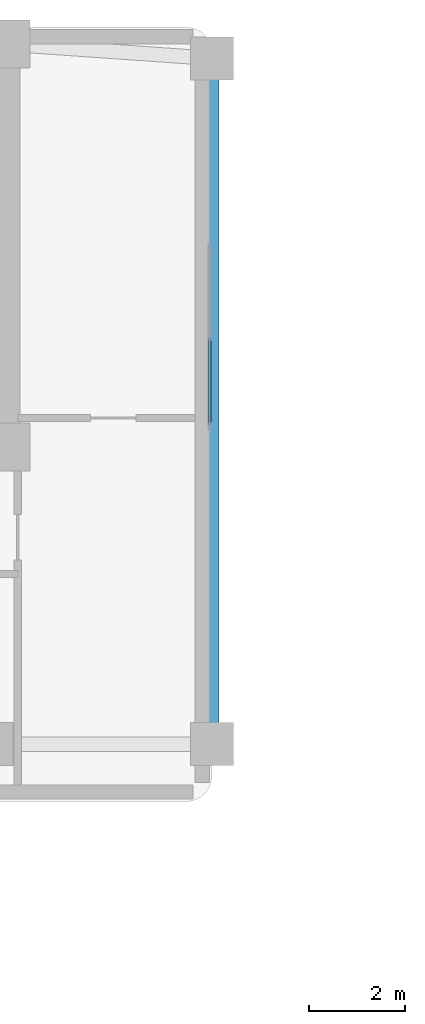
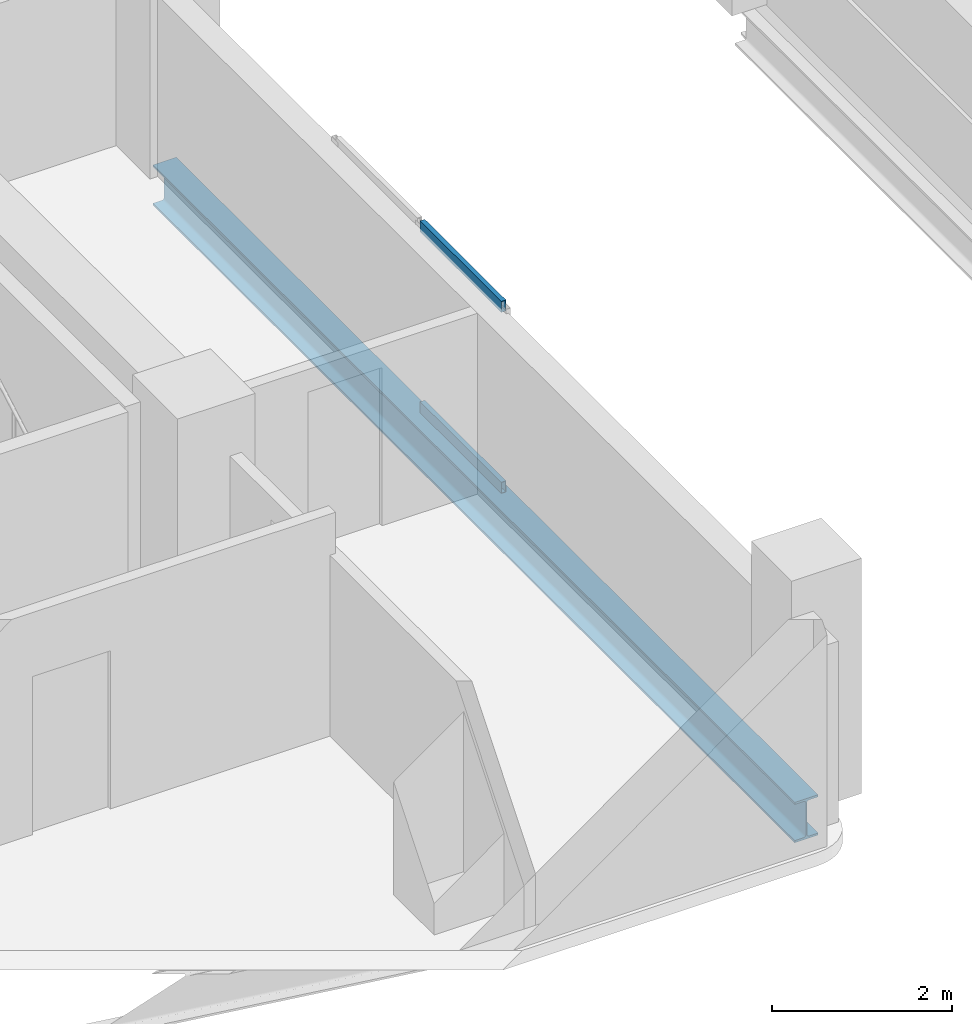
# One storey, part 3 of 10: 2 members, 1 beam, 1 element without a shape of its own.
"""IFC4 building model written with IfcOpenShell, lengths in metres."""

from ifc_helpers import new_model, si_unit, direction, frame, origin, origin_2d, place, context, subcontext, project, spatial, hollow_rectangle, i_section, extrude, material, material_profile, profile_set, type_object, element, aggregate, save


model = new_model("IFC4")

# Units and contexts
model_context = context("Model", 3, precision=1e-05, world=origin(), true_north=direction((0.0, 1.0)))
body_context = subcontext(model_context, "Body", "Model", "MODEL_VIEW")
ifc_project = project(units=[si_unit("LENGTHUNIT", "METRE"), si_unit("AREAUNIT", "SQUARE_METRE"), si_unit("VOLUMEUNIT", "CUBIC_METRE"), si_unit("PLANEANGLEUNIT", "RADIAN"), si_unit("MASSUNIT", "GRAM", prefix="KILO")], contexts=[model_context])

# Site, building, storey
site_placement = place(None, origin())
site = spatial("IfcSite", under=ifc_project, at=site_placement, CompositionType="ELEMENT")
building_placement = place(site_placement, origin())
building = spatial("IfcBuilding", under=site, at=building_placement, Name="Kuzgunbayir Cultural Tower", CompositionType="ELEMENT")
storey_placement = place(building_placement, frame((0.0, 0.0, 160.0)))
storey = spatial("IfcBuildingStorey", under=building, at=storey_placement, Name="L46", CompositionType="ELEMENT", Elevation=160.0)

# Beam
ifc_material_1 = material(Name="Steel S355J2", Category="steel")
ifc_material_profile_1 = material_profile(ifc_material_1, i_section(OverallWidth=0.300048828125, OverallDepth=0.550048828125, WebThickness=0.014892578125, FlangeThickness=0.029052734375, FilletRadius=0.027099609375, at=origin_2d()), Name="HEB 550")
ifc_profile_set_1 = profile_set([ifc_material_profile_1], Name="Steel S355J2")
beam_type = type_object("IfcBeamType", Name="BM-GIR-HEB550", PredefinedType="BEAM", material=ifc_profile_set_1)
beam_placement = place(storey_placement, frame((31.199951171875, 27.60009765625, -0.4599609375), z_axis=(0.0, 1.0, 0.0), x_axis=(-1.0, 0.0, 0.0)))
element("IfcBeam", 1, at=beam_placement, inside=storey, type_object=beam_type, Name="L46 Wing B Cross Girder", PredefinedType="BEAM", context=body_context, shape_type="SweptSolid", body=[
    extrude(i_section(OverallWidth=0.300048828125, OverallDepth=0.550048828125, WebThickness=0.014892578125, FlangeThickness=0.029052734375, FilletRadius=0.027099609375, at=origin_2d()), origin(), (0.0, 0.0, 1.0), 14.2998046875),
])

# Curtain wall, members
ifc_material_2 = material(Name="Anodised Aluminium Framing", Category="aluminium")
curtain_wall_type = type_object("IfcCurtainWallType", Name="CW02-PORTAL-SOFFIT", PredefinedType="NOTDEFINED", material=ifc_material_2)
curtain_wall_placement = place(storey_placement, origin())
curtain_wall = element("IfcCurtainWall", 2, at=curtain_wall_placement, inside=storey, type_object=curtain_wall_type, Name="L46 Wind-Portal Aperture Curtain Wall", PredefinedType="NOTDEFINED")
ifc_material_profile_2 = material_profile(ifc_material_2, hollow_rectangle(XDim=0.06005859375, YDim=0.14990234375, WallThickness=0.00390625, at=origin_2d()), Name="RHS 150x60x4")
ifc_profile_set_2 = profile_set([ifc_material_profile_2], Name="Anodised Aluminium Framing")
member_type = type_object("IfcMemberType", Name="MEM-CW-TRANSOM-150", PredefinedType="USERDEFINED", material=ifc_profile_set_2)
member_1_placement = place(storey_placement, frame((31.14990234375, 34.260009765625, 0.030029296875), z_axis=(0.0, 1.0, 0.0), x_axis=(-1.0, 0.0, 0.0)))
member_1 = element("IfcMember", 3, at=member_1_placement, type_object=member_type, Name="CW02 transom 1.1", ObjectType="TRANSOM", PredefinedType="USERDEFINED", context=body_context, shape_type="SweptSolid", body=[
    extrude(hollow_rectangle(XDim=0.06005859375, YDim=0.14990234375, WallThickness=0.00390625, at=origin_2d()), origin(), (0.0, 0.0, 1.0), 1.81005859375),
])
member_2_placement = place(storey_placement, frame((31.14990234375, 34.260009765625, 2.489990234375), z_axis=(0.0, 1.0, 0.0), x_axis=(-1.0, 0.0, 0.0)))
member_2 = element("IfcMember", 4, at=member_2_placement, type_object=member_type, Name="CW02 transom 1.2", ObjectType="TRANSOM", PredefinedType="USERDEFINED", context=body_context, shape_type="SweptSolid", body=[
    extrude(hollow_rectangle(XDim=0.06005859375, YDim=0.14990234375, WallThickness=0.00390625, at=origin_2d()), origin(), (0.0, 0.0, 1.0), 1.81005859375),
])
aggregate(curtain_wall, [member_1, member_2])

save(model, "model.ifc")
